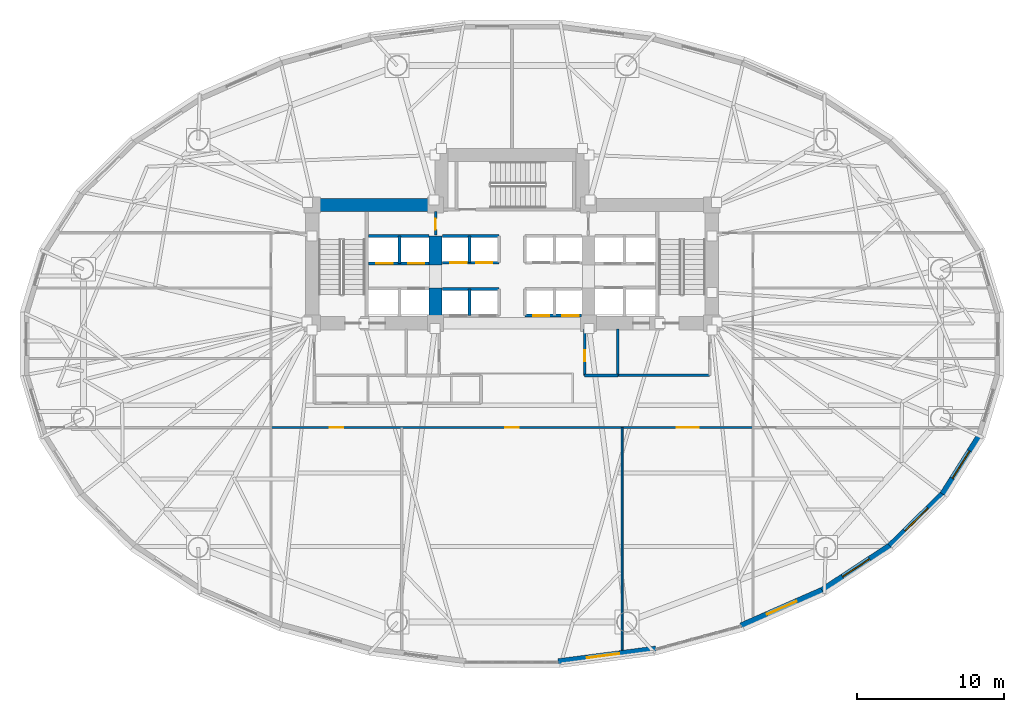
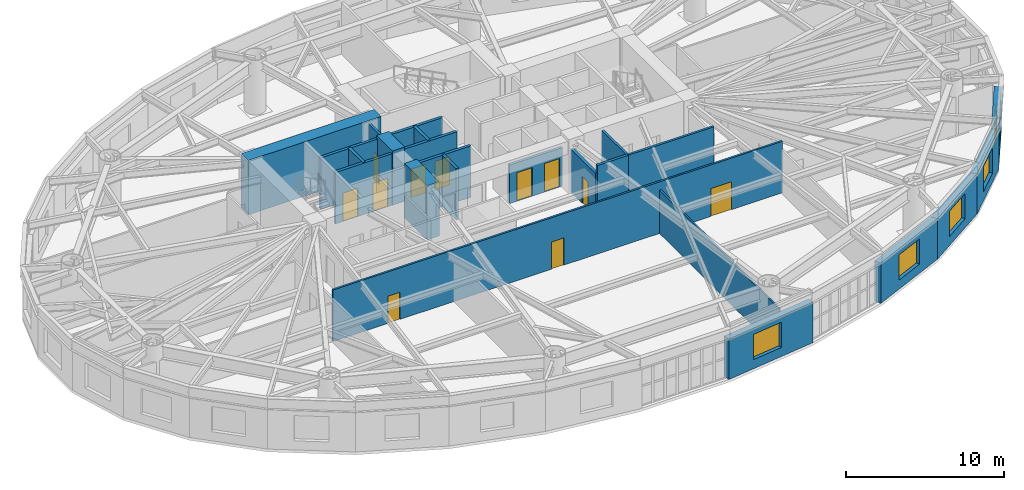
# One storey, part 10 of 18: 24 walls, 11 doors, 5 windows, 16 openings.
"""IFC4 building model written with IfcOpenShell, lengths in metres."""

import ifcopenshell
import ifcopenshell.guid

model = None  # the IFC model being written
_history = None  # IfcOwnerHistory: only IFC2X3 demands one
_inside = {}  # id of a spatial element -> (the spatial element, [elements in it])
_under = {}  # id of a project, library or spatial element -> (it, [spatial elements below it])
_declared = {}  # id of a project -> (the project, [libraries it declares])
_typed = {}  # id of a type object -> (the type object, [elements of that type])
_made_of = {}  # id of a material, layer set ... -> (it, [elements and type objects made of it])


def new_model(schema):
    """Start an empty IFC model of exactly this schema.

    Asked for "IFC4X3", IfcOpenShell would pick the latest addendum, in which some entities
    have other attributes; the version numbers below select the first issue.
    IFC2X3 requires an IfcOwnerHistory on every rooted entity: one is made here for all.
    """
    global model, _history
    if schema == "IFC4X3":
        model = ifcopenshell.file(schema_version=(4, 3, 0, 0))
    else:
        model = ifcopenshell.file(schema=schema)
    _inside.clear()
    _under.clear()
    _declared.clear()
    _typed.clear()
    _made_of.clear()
    _history = None
    if model.schema == "IFC2X3":
        org = make("IfcOrganization", Name="unknown")
        user = make(
            "IfcPersonAndOrganization",
            ThePerson=make("IfcPerson", FamilyName="unknown"),
            TheOrganization=org,
        )
        app = make(
            "IfcApplication",
            ApplicationDeveloper=org,
            Version="unknown",
            ApplicationFullName="unknown",
            ApplicationIdentifier="unknown",
        )
        _history = make(
            "IfcOwnerHistory",
            OwningUser=user,
            OwningApplication=app,
            ChangeAction="ADDED",
            CreationDate=0,
        )
    return model


def make(cls, **values):
    """One entity of the class cls with the attributes given. An attribute that is None is left unset."""
    return model.create_entity(
        cls, **{name: value for name, value in values.items() if value is not None}
    )


def rooted(cls, **values):
    """An entity with a GlobalId (a new one), such as an element, a storey or a relation."""
    return make(cls, GlobalId=ifcopenshell.guid.new(), OwnerHistory=_history, **values)


def si_unit(unit_type, name, prefix=None):
    """IfcSIUnit, for example si_unit("LENGTHUNIT", "METRE", prefix="MILLI")."""
    return make("IfcSIUnit", UnitType=unit_type, Prefix=prefix, Name=name)


def assignment(units):
    """IfcUnitAssignment: the units of a project."""
    return None if units is None else make("IfcUnitAssignment", Units=units)


def point(xyz):
    """IfcCartesianPoint."""
    return None if xyz is None else make("IfcCartesianPoint", Coordinates=xyz)


def direction(xyz):
    """IfcDirection."""
    return None if xyz is None else make("IfcDirection", DirectionRatios=xyz)


def frame(location, z_axis=None, x_axis=None):
    """IfcAxis2Placement3D, a coordinate frame: its origin and axes. An axis left out is left unset."""
    return make(
        "IfcAxis2Placement3D",
        Location=point(location),
        Axis=direction(z_axis),
        RefDirection=direction(x_axis),
    )


def frame_2d(location, x_axis=None):
    """IfcAxis2Placement2D, a coordinate frame in the plane: its origin and x axis."""
    return make(
        "IfcAxis2Placement2D", Location=point(location), RefDirection=direction(x_axis)
    )


def origin():
    """The frame at (0, 0, 0) with its axes left unset."""
    return frame((0.0, 0.0, 0.0))


def place(relative_to, where):
    """IfcLocalPlacement: puts the frame where relative to a parent placement (None: the world)."""
    return make(
        "IfcLocalPlacement", PlacementRelTo=relative_to, RelativePlacement=where
    )


def context(
    kind, dimensions, precision=None, world=None, true_north=None, identifier=None
):
    """IfcGeometricRepresentationContext, for example the 3D "Model" context."""
    return make(
        "IfcGeometricRepresentationContext",
        ContextIdentifier=identifier,
        ContextType=kind,
        CoordinateSpaceDimension=dimensions,
        Precision=precision,
        WorldCoordinateSystem=world,
        TrueNorth=true_north,
    )


def subcontext(parent, identifier, kind, view, scale=None):
    """IfcGeometricRepresentationSubContext, for example "Body" below "Model"."""
    return make(
        "IfcGeometricRepresentationSubContext",
        ContextIdentifier=identifier,
        ContextType=kind,
        ParentContext=parent,
        TargetScale=scale,
        TargetView=view,
    )


def project(units=None, contexts=None):
    """IfcProject with its units and contexts."""
    return rooted(
        "IfcProject",
        Name="project",
        RepresentationContexts=contexts,
        UnitsInContext=assignment(units),
    )


def spatial(cls, under=None, at=None, **own):
    """A site, building, storey or space (cls), placed at a placement, below another one or the project."""
    s = rooted(cls, ObjectPlacement=at, **own)
    if under is not None:
        _under.setdefault(under.id(), (under, []))[1].append(s)
    return s


def profile(cls, at=None, kind="AREA", **sizes):
    """A parametric profile (cls). Its sizes go by their IFC names, for example OverallWidth=200.0."""
    return make(cls, ProfileType=kind, Position=at, **sizes)


def rectangle(**sizes):
    """IfcRectangleProfileDef."""
    return profile("IfcRectangleProfileDef", **sizes)


def extrude(swept, where, along, depth):
    """IfcExtrudedAreaSolid: the profile swept, set in the frame where, extruded along a direction by depth."""
    return make(
        "IfcExtrudedAreaSolid",
        SweptArea=swept,
        Position=where,
        ExtrudedDirection=direction(along),
        Depth=depth,
    )


def shape(context_of_items, identifier, shape_type, items):
    """IfcShapeRepresentation: the items that make up one representation, for example the "Body"."""
    return make(
        "IfcShapeRepresentation",
        ContextOfItems=context_of_items,
        RepresentationIdentifier=identifier,
        RepresentationType=shape_type,
        Items=items,
    )


def material(Name=None, Category=None):
    """IfcMaterial."""
    return make("IfcMaterial", Name=Name, Category=Category)


def layer(
    of_material, thickness, ventilated=None, Name=None, Category=None, Priority=None
):
    """IfcMaterialLayer: one layer of a wall or slab, of a material (None: an air gap)."""
    return make(
        "IfcMaterialLayer",
        Material=of_material,
        LayerThickness=thickness,
        IsVentilated=ventilated,
        Name=Name,
        Category=Category,
        Priority=Priority,
    )


def layer_set(layers, Name=None):
    """IfcMaterialLayerSet."""
    return make("IfcMaterialLayerSet", MaterialLayers=layers, LayerSetName=Name)


def made_of(thing, what):
    """Note that an element or type object is made of a material, layer set ...; save() writes the relation."""
    if what is not None:
        _made_of.setdefault(what.id(), (what, []))[1].append(thing)
    return thing


def type_object(cls, material=None, **own):
    """A type object (cls), such as IfcWallType, which elements share."""
    return made_of(rooted(cls, **own), material)


def element(
    cls,
    number,
    at=None,
    inside=None,
    cuts=None,
    type_object=None,
    material=None,
    context=None,
    identifier="Body",
    shape_type=None,
    held_by="IfcProductDefinitionShape",
    body=None,
    shapes=None,
    **own,
):
    """One element of the class cls, such as IfcWall. Its Tag is "e" and its number.

    at: its placement. inside: the storey or other place that contains it. cuts: it is an
    opening in that element (IfcRelVoidsElement). A single representation is given by context,
    identifier, shape_type and body (its items); several are given by shapes. held_by: the class
    of the entity that holds the representations. save() writes the other relations.
    """
    e = rooted(cls, Tag="e%d" % number, ObjectPlacement=at, **own)
    if body is not None:
        shapes = [shape(context, identifier, shape_type, body)]
    if shapes is not None:
        e.Representation = make(held_by, Representations=shapes)
    if inside is not None:
        _inside.setdefault(inside.id(), (inside, []))[1].append(e)
    if cuts is not None:
        rooted(
            "IfcRelVoidsElement", RelatingBuildingElement=cuts, RelatedOpeningElement=e
        )
    if type_object is not None:
        _typed.setdefault(type_object.id(), (type_object, []))[1].append(e)
    return made_of(e, material)


def fill(opening, filler):
    """IfcRelFillsElement: the door or window that sits in an opening."""
    return rooted(
        "IfcRelFillsElement",
        RelatingOpeningElement=opening,
        RelatedBuildingElement=filler,
    )


def aggregate(whole, parts):
    """IfcRelAggregates: a whole, such as a stair, and the parts it consists of."""
    return rooted("IfcRelAggregates", RelatingObject=whole, RelatedObjects=parts)


def save(model, path):
    """Write the relations noted so far, then the file.

    IfcRelAggregates (storeys below a building ...), IfcRelContainedInSpatialStructure (elements
    in a storey), IfcRelDefinesByType, IfcRelAssociatesMaterial and IfcRelDeclares: one each for
    every whole, place, type object, material and project.
    """
    for whole, parts in _under.values():
        aggregate(whole, parts)
    for where, things in _inside.values():
        rooted(
            "IfcRelContainedInSpatialStructure",
            RelatedElements=things,
            RelatingStructure=where,
        )
    for kind, things in _typed.values():
        rooted("IfcRelDefinesByType", RelatedObjects=things, RelatingType=kind)
    for what, things in _made_of.values():
        rooted("IfcRelAssociatesMaterial", RelatedObjects=things, RelatingMaterial=what)
    for by, libraries in _declared.values():
        rooted("IfcRelDeclares", RelatingContext=by, RelatedDefinitions=libraries)
    model.write(path)


model = new_model("IFC4")

# Units and contexts
model_context = context("Model", 3, precision=1e-05, world=origin(), true_north=direction((0.0, 1.0)))
body_context = subcontext(model_context, "Body", "Model", "MODEL_VIEW")
ifc_project = project(units=[si_unit("LENGTHUNIT", "METRE"), si_unit("AREAUNIT", "SQUARE_METRE"), si_unit("VOLUMEUNIT", "CUBIC_METRE"), si_unit("PLANEANGLEUNIT", "RADIAN"), si_unit("MASSUNIT", "GRAM", prefix="KILO")], contexts=[model_context])

# Site, building, storey
site_placement = place(None, origin())
site = spatial("IfcSite", under=ifc_project, at=site_placement, CompositionType="ELEMENT")
building_placement = place(site_placement, origin())
building = spatial("IfcBuilding", under=site, at=building_placement, Name="Keldmark Tower", CompositionType="ELEMENT")
storey_placement = place(building_placement, frame((0.0, 0.0, 6.0)))
storey = spatial("IfcBuildingStorey", under=building, at=storey_placement, Name="L01", CompositionType="ELEMENT", Elevation=6.0)

# Wall, openings, doors
ifc_material_1 = material(Name="Acoustic Double-Layer Gypsum Corridor Partition", Category="gypsum")
ifc_layer_1 = layer(ifc_material_1, 0.139892578125)
ifc_layer_set_1 = layer_set([ifc_layer_1], Name="Acoustic Double-Layer Gypsum Corridor Partition")
wall_type_1 = type_object("IfcWallType", Name="Acoustic Corridor Partition 140 mm", PredefinedType="PARTITIONING", material=ifc_layer_set_1)
wall_1_placement = place(storey_placement, frame((-16.39990234375, -5.699951171875, 0.0), z_axis=(0.0, 0.0, 1.0), x_axis=(1.0, 0.0, 0.0)))
wall_1 = element("IfcWall", 1, at=wall_1_placement, inside=storey, type_object=wall_type_1, Name="L01 Acoustic Corridor Partition 140 mm COR-S", PredefinedType="PARTITIONING", context=body_context, shape_type="SweptSolid", body=[
    extrude(rectangle(XDim=32.7998046875, YDim=0.139892578125, at=frame_2d((16.39990234375, 0.0))), origin(), (0.0, 0.0, 1.0), 3.97998046875),
])
opening_1_placement = place(wall_1_placement, frame((4.0, 0.0, 0.0)))
opening_1 = element("IfcOpeningElement", 2, at=opening_1_placement, cuts=wall_1, Name="Opening D-IN090", PredefinedType="OPENING", context=body_context, shape_type="SweptSolid", body=[
    extrude(rectangle(XDim=0.89990234375, YDim=2.10009765625, at=frame_2d((0.449951171875, 1.050048828125))), frame((0.0, 0.079833984375, 0.0), z_axis=(0.0, -1.0, 0.0), x_axis=(1.0, 0.0, 0.0)), (0.0, 0.0, 1.0), 0.159912109375),
])
opening_2_placement = place(wall_1_placement, frame((15.949951171875, 0.0, 0.0)))
opening_2 = element("IfcOpeningElement", 3, at=opening_2_placement, cuts=wall_1, Name="Opening D-IN090", PredefinedType="OPENING", context=body_context, shape_type="SweptSolid", body=[
    extrude(rectangle(XDim=0.89990234375, YDim=2.10009765625, at=frame_2d((0.449951171875, 1.050048828125))), frame((0.0, 0.079833984375, 0.0), z_axis=(0.0, -1.0, 0.0), x_axis=(1.0, 0.0, 0.0)), (0.0, 0.0, 1.0), 0.159912109375),
])
opening_3_placement = place(wall_1_placement, frame((27.60009765625, 0.0, 0.0)))
opening_3 = element("IfcOpeningElement", 4, at=opening_3_placement, cuts=wall_1, Name="Opening D-CF150", PredefinedType="OPENING", context=body_context, shape_type="SweptSolid", body=[
    extrude(rectangle(XDim=1.5, YDim=2.14990234375, at=frame_2d((0.75, 1.074951171875))), frame((0.0, 0.079833984375, 0.0), z_axis=(0.0, -1.0, 0.0), x_axis=(1.0, 0.0, 0.0)), (0.0, 0.0, 1.0), 0.159912109375),
])
ifc_material_2 = material(Name="Acoustic Timber and Tempered Glass Double Door", Category="wood")
door_type_1 = type_object("IfcDoorType", Name="Conference Double Door 1500x2150", OperationType="DOUBLE_DOOR_SINGLE_SWING", PredefinedType="DOOR", material=ifc_material_2)
door_1_placement = place(opening_3_placement, origin())
door_1 = element("IfcDoor", 5, at=door_1_placement, inside=storey, type_object=door_type_1, Name="L01 Conference Double Door 1500x2150 D-SR-3-L01", OperationType="DOUBLE_DOOR_SINGLE_SWING", OverallHeight=2.14990234375, OverallWidth=1.5, PredefinedType="DOOR", context=body_context, shape_type="SweptSolid", body=[
    extrude(rectangle(XDim=1.5, YDim=2.14990234375, at=frame_2d((0.75, 1.074951171875))), frame((0.0, 0.02490234375, 0.0), z_axis=(0.0, -1.0, 0.0), x_axis=(1.0, 0.0, 0.0)), (0.0, 0.0, 1.0), 0.050048828125),
])
fill(opening_3, door_1)
ifc_material_3 = material(Name="Stained American White Oak Veneer", Category="wood")
door_type_2 = type_object("IfcDoorType", Name="Interior Door 900x2100", OperationType="NOTDEFINED", PredefinedType="DOOR", material=ifc_material_3)
door_2_placement = place(opening_1_placement, origin())
door_2 = element("IfcDoor", 6, at=door_2_placement, inside=storey, type_object=door_type_2, Name="L01 Interior Door 900x2100 D-SR-1-L01", OperationType="SINGLE_SWING_LEFT", OverallHeight=2.10009765625, OverallWidth=0.89990234375, PredefinedType="DOOR", context=body_context, shape_type="SweptSolid", body=[
    extrude(rectangle(XDim=0.89990234375, YDim=2.10009765625, at=frame_2d((0.449951171875, 1.050048828125))), frame((0.0, 0.02490234375, 0.0), z_axis=(0.0, -1.0, 0.0), x_axis=(1.0, 0.0, 0.0)), (0.0, 0.0, 1.0), 0.050048828125),
])
fill(opening_1, door_2)
door_3_placement = place(opening_2_placement, origin())
door_3 = element("IfcDoor", 7, at=door_3_placement, inside=storey, type_object=door_type_2, Name="L01 Interior Door 900x2100 D-SR-2-L01", OperationType="SINGLE_SWING_RIGHT", OverallHeight=2.10009765625, OverallWidth=0.89990234375, PredefinedType="DOOR", context=body_context, shape_type="SweptSolid", body=[
    extrude(rectangle(XDim=0.89990234375, YDim=2.10009765625, at=frame_2d((0.449951171875, 1.050048828125))), frame((0.0, 0.02490234375, 0.0), z_axis=(0.0, -1.0, 0.0), x_axis=(1.0, 0.0, 0.0)), (0.0, 0.0, 1.0), 0.050048828125),
])
fill(opening_2, door_3)

# Walls
ifc_material_4 = material(Name="Acoustic Gypsum Board Interior Partition", Category="gypsum")
ifc_layer_2 = layer(ifc_material_4, 0.1298828125)
ifc_layer_set_2 = layer_set([ifc_layer_2], Name="Acoustic Gypsum Board Interior Partition")
wall_type_2 = type_object("IfcWallType", Name="Interior Partition 130 mm", PredefinedType="PARTITIONING", material=ifc_layer_set_2)
wall_2_placement = place(storey_placement, frame((7.5, -20.85107421875, 0.0), z_axis=(0.0, 0.0, 1.0), x_axis=(0.0, 1.0, 0.0)))
element("IfcWall", 8, at=wall_2_placement, inside=storey, type_object=wall_type_2, Name="L01 Interior Partition 130 mm S-DIV-2", PredefinedType="PARTITIONING", context=body_context, shape_type="SweptSolid", body=[
    extrude(rectangle(XDim=15.151123046875, YDim=0.1298828125, at=frame_2d((7.57568359375, 0.0))), origin(), (0.0, 0.0, 1.0), 3.347900390625),
])
ifc_material_5 = material(Name="Concrete C70/85", Category="concrete")
ifc_layer_3 = layer(ifc_material_5, 0.89990234375)
ifc_layer_set_3 = layer_set([ifc_layer_3], Name="Concrete C70/85")
wall_type_3 = type_object("IfcWallType", Name="Lower Core Shear Wall 900 mm", PredefinedType="SHEAR", material=ifc_layer_set_3)
wall_3_placement = place(storey_placement, frame((-14.050048828125, 9.449951171875, 0.0), z_axis=(0.0, 0.0, 1.0), x_axis=(1.0, 0.0, 0.0)))
element("IfcWall", 9, at=wall_3_placement, inside=storey, type_object=wall_type_3, Name="L01 West Core North Shear Wall", PredefinedType="SHEAR", context=body_context, shape_type="SweptSolid", body=[
    extrude(rectangle(XDim=9.699951171875, YDim=0.89990234375, at=frame_2d((4.85009765625, 0.0))), origin(), (0.0, 0.0, 1.0), 4.199951171875),
])
wall_4_placement = place(storey_placement, frame((-5.199951171875, 0.949951171875, 0.0), z_axis=(0.0, 0.0, 1.0), x_axis=(0.0, 1.0, 0.0)))
element("IfcWall", 10, at=wall_4_placement, inside=storey, type_object=wall_type_3, Name="L01 West Core Inner Shear Pier South", PredefinedType="SHEAR", context=body_context, shape_type="SweptSolid", body=[
    extrude(rectangle(XDim=2.85009765625, YDim=0.89990234375, at=frame_2d((1.425048828125, 0.0))), origin(), (0.0, 0.0, 1.0), 4.199951171875),
])
wall_5_placement = place(storey_placement, frame((-5.199951171875, 5.35009765625, 0.0), z_axis=(0.0, 0.0, 1.0), x_axis=(0.0, 1.0, 0.0)))
element("IfcWall", 11, at=wall_5_placement, inside=storey, type_object=wall_type_3, Name="L01 West Core Inner Shear Pier North", PredefinedType="SHEAR", context=body_context, shape_type="SweptSolid", body=[
    extrude(rectangle(XDim=2.0, YDim=0.89990234375, at=frame_2d((1.0, 0.0))), origin(), (0.0, 0.0, 1.0), 4.199951171875),
])

# Wall, opening, window
ifc_material_6 = material(Name="Ironspot Manganese Brick and Kasota Buff Limestone Cavity Assembly", Category="masonry")
ifc_layer_4 = layer(ifc_material_6, 0.47998046875)
ifc_layer_set_4 = layer_set([ifc_layer_4], Name="Ironspot Manganese Brick and Kasota Buff Limestone Cavity Assembly")
wall_type_4 = type_object("IfcWallType", Name="Podium Brick and Limestone Cavity Wall 480 mm", PredefinedType="STANDARD", material=ifc_layer_set_4)
wall_6_placement = place(storey_placement, frame((9.802490234375, -20.800537109375, 0.0), z_axis=(0.0, 0.0, 1.0), x_axis=(-0.991575864932, -0.12952723298, 0.0)))
wall_6 = element("IfcWall", 12, at=wall_6_placement, inside=storey, type_object=wall_type_4, Name="L01 Exterior Brick and Spandrel Wall 25", PredefinedType="STANDARD", context=body_context, shape_type="SweptSolid", body=[
    extrude(rectangle(XDim=6.7158203125, YDim=0.47998046875, at=frame_2d((3.35791015625, 0.0))), origin(), (0.0, 0.0, 1.0), 3.10888671875),
])
opening_4_placement = place(wall_6_placement, frame((2.530517578125, 0.0, 0.699951171875)))
opening_4 = element("IfcOpeningElement", 13, at=opening_4_placement, cuts=wall_6, Name="Opening W-01", PredefinedType="OPENING", context=body_context, shape_type="SweptSolid", body=[
    extrude(rectangle(XDim=2.199951171875, YDim=1.949951171875, at=frame_2d((1.10009765625, 0.97509765625))), frame((0.0, 0.25, 0.0), z_axis=(0.0, -1.0, 0.0), x_axis=(1.0, 0.0, 0.0)), (0.0, 0.0, 1.0), 0.5),
])
ifc_material_7 = material(Name="Thermally Broken Anodized Aluminum and Triple Low-E Argon Glazing", Category="aluminium")
window_type = type_object("IfcWindowType", Name="Podium Arched-Head Punched Window 2200x1950", PartitioningType="SINGLE_PANEL", PredefinedType="WINDOW", material=ifc_material_7)
window_1_placement = place(opening_4_placement, origin())
window_1 = element("IfcWindow", 14, at=window_1_placement, inside=storey, type_object=window_type, Name="L01 Deep-Set Window 25", OverallHeight=1.949951171875, OverallWidth=2.199951171875, PartitioningType="SINGLE_PANEL", PredefinedType="WINDOW", context=body_context, shape_type="SweptSolid", body=[
    extrude(rectangle(XDim=2.199951171875, YDim=1.949951171875, at=frame_2d((1.10009765625, 0.97509765625))), frame((0.0, -0.010009765625, 0.0), z_axis=(0.0, -1.0, 0.0), x_axis=(1.0, 0.0, 0.0)), (0.0, 0.0, 1.0), 0.06005859375),
])
fill(opening_4, window_1)

wall_7_placement = place(storey_placement, frame((21.15576171875, -16.786376953125, 0.0), z_axis=(0.0, 0.0, 1.0), x_axis=(-0.915720949248, -0.401814811957, 0.0)))
wall_7 = element("IfcWall", 15, at=wall_7_placement, inside=storey, type_object=wall_type_4, Name="L01 Exterior Brick and Spandrel Wall 27", PredefinedType="STANDARD", context=body_context, shape_type="SweptSolid", body=[
    extrude(rectangle(XDim=6.068115234375, YDim=0.47998046875, at=frame_2d((3.0341796875, 0.0))), origin(), (0.0, 0.0, 1.0), 3.10888671875),
])
opening_5_placement = place(wall_7_placement, frame((1.93408203125, 0.0, 0.699951171875)))
opening_5 = element("IfcOpeningElement", 16, at=opening_5_placement, cuts=wall_7, Name="Opening W-01", PredefinedType="OPENING", context=body_context, shape_type="SweptSolid", body=[
    extrude(rectangle(XDim=2.199951171875, YDim=1.949951171875, at=frame_2d((1.10009765625, 0.97509765625))), frame((0.0, 0.25, 0.0), z_axis=(0.0, -1.0, 0.0), x_axis=(1.0, 0.0, 0.0)), (0.0, 0.0, 1.0), 0.5),
])
window_2_placement = place(opening_5_placement, origin())
window_2 = element("IfcWindow", 17, at=window_2_placement, inside=storey, type_object=window_type, Name="L01 Deep-Set Window 27", OverallHeight=1.949951171875, OverallWidth=2.199951171875, PartitioningType="SINGLE_PANEL", PredefinedType="WINDOW", context=body_context, shape_type="SweptSolid", body=[
    extrude(rectangle(XDim=2.199951171875, YDim=1.949951171875, at=frame_2d((1.10009765625, 0.97509765625))), frame((0.0, -0.010009765625, 0.0), z_axis=(0.0, -1.0, 0.0), x_axis=(1.0, 0.0, 0.0)), (0.0, 0.0, 1.0), 0.06005859375),
])
fill(opening_5, window_2)

wall_8_placement = place(storey_placement, frame((25.76416015625, -13.756103515625, 0.0), z_axis=(0.0, 0.0, 1.0), x_axis=(-0.835863918172, -0.548936708827, 0.0)))
wall_8 = element("IfcWall", 18, at=wall_8_placement, inside=storey, type_object=wall_type_4, Name="L01 Exterior Brick and Spandrel Wall 28", PredefinedType="STANDARD", context=body_context, shape_type="SweptSolid", body=[
    extrude(rectangle(XDim=5.555419921875, YDim=0.47998046875, at=frame_2d((2.77783203125, 0.0))), origin(), (0.0, 0.0, 1.0), 3.10888671875),
])
opening_6_placement = place(wall_8_placement, frame((1.677734375, 0.0, 0.699951171875)))
opening_6 = element("IfcOpeningElement", 19, at=opening_6_placement, cuts=wall_8, Name="Opening W-01", PredefinedType="OPENING", context=body_context, shape_type="SweptSolid", body=[
    extrude(rectangle(XDim=2.199951171875, YDim=1.949951171875, at=frame_2d((1.10009765625, 0.97509765625))), frame((0.0, 0.25, 0.0), z_axis=(0.0, -1.0, 0.0), x_axis=(1.0, 0.0, 0.0)), (0.0, 0.0, 1.0), 0.5),
])
window_3_placement = place(opening_6_placement, origin())
window_3 = element("IfcWindow", 20, at=window_3_placement, inside=storey, type_object=window_type, Name="L01 Deep-Set Window 28", OverallHeight=1.949951171875, OverallWidth=2.199951171875, PartitioningType="SINGLE_PANEL", PredefinedType="WINDOW", context=body_context, shape_type="SweptSolid", body=[
    extrude(rectangle(XDim=2.199951171875, YDim=1.949951171875, at=frame_2d((1.10009765625, 0.97509765625))), frame((0.0, -0.010009765625, 0.0), z_axis=(0.0, -1.0, 0.0), x_axis=(1.0, 0.0, 0.0)), (0.0, 0.0, 1.0), 0.06005859375),
])
fill(opening_6, window_3)

wall_9_placement = place(storey_placement, frame((29.376220703125, -10.199462890625, 0.0), z_axis=(0.0, 0.0, 1.0), x_axis=(-0.713189080178, -0.700971708355, 0.0)))
wall_9 = element("IfcWall", 21, at=wall_9_placement, inside=storey, type_object=wall_type_4, Name="L01 Exterior Brick and Spandrel Wall 29", PredefinedType="STANDARD", context=body_context, shape_type="SweptSolid", body=[
    extrude(rectangle(XDim=5.11572265625, YDim=0.47998046875, at=frame_2d((2.557861328125, 0.0))), origin(), (0.0, 0.0, 1.0), 3.10888671875),
])
opening_7_placement = place(wall_9_placement, frame((1.4580078125, 0.0, 0.699951171875)))
opening_7 = element("IfcOpeningElement", 22, at=opening_7_placement, cuts=wall_9, Name="Opening W-01", PredefinedType="OPENING", context=body_context, shape_type="SweptSolid", body=[
    extrude(rectangle(XDim=2.199951171875, YDim=1.949951171875, at=frame_2d((1.10009765625, 0.97509765625))), frame((0.0, 0.25, 0.0), z_axis=(0.0, -1.0, 0.0), x_axis=(1.0, 0.0, 0.0)), (0.0, 0.0, 1.0), 0.5),
])
window_4_placement = place(opening_7_placement, origin())
window_4 = element("IfcWindow", 23, at=window_4_placement, inside=storey, type_object=window_type, Name="L01 Deep-Set Window 29", OverallHeight=1.949951171875, OverallWidth=2.199951171875, PartitioningType="SINGLE_PANEL", PredefinedType="WINDOW", context=body_context, shape_type="SweptSolid", body=[
    extrude(rectangle(XDim=2.199951171875, YDim=1.949951171875, at=frame_2d((1.10009765625, 0.97509765625))), frame((0.0, -0.010009765625, 0.0), z_axis=(0.0, -1.0, 0.0), x_axis=(1.0, 0.0, 0.0)), (0.0, 0.0, 1.0), 0.06005859375),
])
fill(opening_7, window_4)

wall_10_placement = place(storey_placement, frame((31.8544921875, -6.25830078125, 0.0), z_axis=(0.0, 0.0, 1.0), x_axis=(-0.53349762721, -0.845801561693, 0.0)))
wall_10 = element("IfcWall", 24, at=wall_10_placement, inside=storey, type_object=wall_type_4, Name="L01 Exterior Brick and Spandrel Wall 30", PredefinedType="STANDARD", context=body_context, shape_type="SweptSolid", body=[
    extrude(rectangle(XDim=4.710693359375, YDim=0.47998046875, at=frame_2d((2.35546875, 0.0))), origin(), (0.0, 0.0, 1.0), 3.10888671875),
])
opening_8_placement = place(wall_10_placement, frame((1.25537109375, 0.0, 0.699951171875)))
opening_8 = element("IfcOpeningElement", 25, at=opening_8_placement, cuts=wall_10, Name="Opening W-01", PredefinedType="OPENING", context=body_context, shape_type="SweptSolid", body=[
    extrude(rectangle(XDim=2.199951171875, YDim=1.949951171875, at=frame_2d((1.10009765625, 0.97509765625))), frame((0.0, 0.25, 0.0), z_axis=(0.0, -1.0, 0.0), x_axis=(1.0, 0.0, 0.0)), (0.0, 0.0, 1.0), 0.5),
])
window_5_placement = place(opening_8_placement, origin())
window_5 = element("IfcWindow", 26, at=window_5_placement, inside=storey, type_object=window_type, Name="L01 Deep-Set Window 30", OverallHeight=1.949951171875, OverallWidth=2.199951171875, PartitioningType="SINGLE_PANEL", PredefinedType="WINDOW", context=body_context, shape_type="SweptSolid", body=[
    extrude(rectangle(XDim=2.199951171875, YDim=1.949951171875, at=frame_2d((1.10009765625, 0.97509765625))), frame((0.0, -0.010009765625, 0.0), z_axis=(0.0, -1.0, 0.0), x_axis=(1.0, 0.0, 0.0)), (0.0, 0.0, 1.0), 0.06005859375),
])
fill(opening_8, window_5)

# Walls
ifc_material_8 = material(Name="Type X Fire-Rated Gypsum Partition Assembly", Category="gypsum")
ifc_layer_5 = layer(ifc_material_8, 0.1650390625)
ifc_layer_set_5 = layer_set([ifc_layer_5], Name="Type X Fire-Rated Gypsum Partition Assembly")
wall_type_5 = type_object("IfcWallType", Name="Rated Partition 165 mm", PredefinedType="PARTITIONING", material=ifc_layer_set_5)
wall_11_placement = place(storey_placement, frame((7.199951171875, -2.14990234375, 0.0), z_axis=(0.0, 0.0, 1.0), x_axis=(1.0, 0.0, 0.0)))
element("IfcWall", 27, at=wall_11_placement, inside=storey, type_object=wall_type_5, Name="L01 Rated Partition 165 mm FSAE-E-S", PredefinedType="PARTITIONING", context=body_context, shape_type="SweptSolid", body=[
    extrude(rectangle(XDim=6.25, YDim=0.1650390625, at=frame_2d((3.125, 0.0))), origin(), (0.0, 0.0, 1.0), 3.97998046875),
])
wall_12_placement = place(storey_placement, frame((7.199951171875, -2.14990234375, 0.0), z_axis=(0.0, 0.0, 1.0), x_axis=(0.0, 1.0, 0.0)))
element("IfcWall", 28, at=wall_12_placement, inside=storey, type_object=wall_type_5, Name="L01 Rated Partition 165 mm FSAE-E-W", PredefinedType="PARTITIONING", context=body_context, shape_type="SweptSolid", body=[
    extrude(rectangle(XDim=3.14990234375, YDim=0.1650390625, at=frame_2d((1.574951171875, 0.0))), origin(), (0.0, 0.0, 1.0), 3.97998046875),
])

# Wall, opening, door
wall_13_placement = place(storey_placement, frame((-5.199951171875, 7.419921875, 0.0), z_axis=(0.0, 0.0, 1.0), x_axis=(0.0, 1.0, 0.0)))
wall_13 = element("IfcWall", 29, at=wall_13_placement, inside=storey, type_object=wall_type_5, Name="L01 Rated Partition 165 mm CS-NW-E", PredefinedType="PARTITIONING", context=body_context, shape_type="SweptSolid", body=[
    extrude(rectangle(XDim=1.580078125, YDim=0.1650390625, at=frame_2d((0.7900390625, 0.0))), origin(), (0.0, 0.0, 1.0), 3.97998046875),
])
opening_9_placement = place(wall_13_placement, frame((0.35009765625, 0.0, 0.0)))
opening_9 = element("IfcOpeningElement", 30, at=opening_9_placement, cuts=wall_13, Name="Opening D-RS075", PredefinedType="OPENING", context=body_context, shape_type="SweptSolid", body=[
    extrude(rectangle(XDim=0.75, YDim=2.10009765625, at=frame_2d((0.375, 1.050048828125))), frame((0.0, 0.092529296875, 0.0), z_axis=(0.0, -1.0, 0.0), x_axis=(1.0, 0.0, 0.0)), (0.0, 0.0, 1.0), 0.18505859375),
])
ifc_material_9 = material(Name="Galvanized Fire-Rated Access Leaf", Category="metal")
door_type_3 = type_object("IfcDoorType", Name="Riser Access Door 750x2100", OperationType="NOTDEFINED", PredefinedType="DOOR", material=ifc_material_9)
door_4_placement = place(opening_9_placement, origin())
door_4 = element("IfcDoor", 31, at=door_4_placement, inside=storey, type_object=door_type_3, Name="L01 Riser Access Door 750x2100 D-CSNW1-L01", OperationType="SINGLE_SWING_LEFT", OverallHeight=2.10009765625, OverallWidth=0.75, PredefinedType="DOOR", context=body_context, shape_type="SweptSolid", body=[
    extrude(rectangle(XDim=0.75, YDim=2.10009765625, at=frame_2d((0.375, 1.050048828125))), frame((0.0, 0.02490234375, 0.0), z_axis=(0.0, -1.0, 0.0), x_axis=(1.0, 0.0, 0.0)), (0.0, 0.0, 1.0), 0.050048828125),
])
fill(opening_9, door_4)

# Wall
ifc_material_10 = material(Name="Fire-Resistant Type X Gypsum Shaftliner Coreboard", Category="gypsum")
ifc_layer_6 = layer(ifc_material_10, 0.199951171875)
ifc_layer_set_6 = layer_set([ifc_layer_6], Name="Fire-Resistant Type X Gypsum Shaftliner Coreboard")
wall_type_6 = type_object("IfcWallType", Name="Shaft Wall 200 mm", PredefinedType="SOLIDWALL", material=ifc_layer_set_6)
wall_14_placement = place(storey_placement, frame((4.949951171875, -2.14990234375, 0.0), z_axis=(0.0, 0.0, 1.0), x_axis=(1.0, 0.0, 0.0)))
element("IfcWall", 32, at=wall_14_placement, inside=storey, type_object=wall_type_6, Name="L01 Shaft Wall 200 mm RIS-SE-S", PredefinedType="SOLIDWALL", context=body_context, shape_type="SweptSolid", body=[
    extrude(rectangle(XDim=2.25, YDim=0.199951171875, at=frame_2d((1.125, 0.0))), origin(), (0.0, 0.0, 1.0), 3.97998046875),
])

# Wall, opening, door
wall_15_placement = place(storey_placement, frame((4.949951171875, -2.14990234375, 0.0), z_axis=(0.0, 0.0, 1.0), x_axis=(0.0, 1.0, 0.0)))
wall_15 = element("IfcWall", 33, at=wall_15_placement, inside=storey, type_object=wall_type_6, Name="L01 Shaft Wall 200 mm RIS-SE-W", PredefinedType="SOLIDWALL", context=body_context, shape_type="SweptSolid", body=[
    extrude(rectangle(XDim=3.14990234375, YDim=0.199951171875, at=frame_2d((1.574951171875, 0.0))), origin(), (0.0, 0.0, 1.0), 3.347900390625),
])
opening_10_placement = place(wall_15_placement, frame((0.949951171875, 0.0, 0.0)))
opening_10 = element("IfcOpeningElement", 34, at=opening_10_placement, cuts=wall_15, Name="Opening D-RS075", PredefinedType="OPENING", context=body_context, shape_type="SweptSolid", body=[
    extrude(rectangle(XDim=0.75, YDim=2.10009765625, at=frame_2d((0.375, 1.050048828125))), frame((0.0, 0.10986328125, 0.0), z_axis=(0.0, -1.0, 0.0), x_axis=(1.0, 0.0, 0.0)), (0.0, 0.0, 1.0), 0.219970703125),
])
door_5_placement = place(opening_10_placement, origin())
door_5 = element("IfcDoor", 35, at=door_5_placement, inside=storey, type_object=door_type_3, Name="L01 Riser Access Door 750x2100 D-RISSE-L01", OperationType="SINGLE_SWING_LEFT", OverallHeight=2.10009765625, OverallWidth=0.75, PredefinedType="DOOR", context=body_context, shape_type="SweptSolid", body=[
    extrude(rectangle(XDim=0.75, YDim=2.10009765625, at=frame_2d((0.375, 1.050048828125))), frame((0.0, 0.02490234375, 0.0), z_axis=(0.0, -1.0, 0.0), x_axis=(1.0, 0.0, 0.0)), (0.0, 0.0, 1.0), 0.050048828125),
])
fill(opening_10, door_5)

# Wall, openings, doors
wall_16_placement = place(storey_placement, frame((-9.780029296875, 5.469970703125, 0.0), z_axis=(0.0, 0.0, 1.0), x_axis=(1.0, 0.0, 0.0)))
wall_16 = element("IfcWall", 36, at=wall_16_placement, inside=storey, type_object=wall_type_6, Name="L01 Shaft Wall 200 mm HW-W-N", PredefinedType="SOLIDWALL", context=body_context, shape_type="SweptSolid", body=[
    extrude(rectangle(XDim=4.130126953125, YDim=0.199951171875, at=frame_2d((2.06494140625, 0.0))), origin(), (0.0, 0.0, 1.0), 3.97998046875),
])
opening_11_placement = place(wall_16_placement, frame((0.550048828125, 0.0, 0.0)))
opening_11 = element("IfcOpeningElement", 37, at=opening_11_placement, cuts=wall_16, Name="Opening LD-110", PredefinedType="OPENING", context=body_context, shape_type="SweptSolid", body=[
    extrude(rectangle(XDim=1.10009765625, YDim=2.199951171875, at=frame_2d((0.550048828125, 1.10009765625))), frame((0.0, 0.10986328125, 0.0), z_axis=(0.0, -1.0, 0.0), x_axis=(1.0, 0.0, 0.0)), (0.0, 0.0, 1.0), 0.219970703125),
])
opening_12_placement = place(wall_16_placement, frame((2.719970703125, 0.0, 0.0)))
opening_12 = element("IfcOpeningElement", 38, at=opening_12_placement, cuts=wall_16, Name="Opening LD-110", PredefinedType="OPENING", context=body_context, shape_type="SweptSolid", body=[
    extrude(rectangle(XDim=1.10009765625, YDim=2.199951171875, at=frame_2d((0.550048828125, 1.10009765625))), frame((0.0, 0.10986328125, 0.0), z_axis=(0.0, -1.0, 0.0), x_axis=(1.0, 0.0, 0.0)), (0.0, 0.0, 1.0), 0.219970703125),
])
ifc_material_11 = material(Name="Brushed Bronze Hoistway Sliding Leaf", Category="metal")
door_type_4 = type_object("IfcDoorType", Name="Lift Landing Sliding Door 1100x2200", OperationType="SLIDING_TO_LEFT", PredefinedType="DOOR", material=ifc_material_11)
door_6_placement = place(opening_11_placement, origin())
door_6 = element("IfcDoor", 39, at=door_6_placement, inside=storey, type_object=door_type_4, Name="L01 Lift Landing Sliding Door 1100x2200 LD-EL-H1-L01", OperationType="SLIDING_TO_LEFT", OverallHeight=2.199951171875, OverallWidth=1.10009765625, PredefinedType="DOOR", context=body_context, shape_type="SweptSolid", body=[
    extrude(rectangle(XDim=1.10009765625, YDim=2.199951171875, at=frame_2d((0.550048828125, 1.10009765625))), frame((0.0, 0.02490234375, 0.0), z_axis=(0.0, -1.0, 0.0), x_axis=(1.0, 0.0, 0.0)), (0.0, 0.0, 1.0), 0.050048828125),
])
fill(opening_11, door_6)
door_7_placement = place(opening_12_placement, origin())
door_7 = element("IfcDoor", 40, at=door_7_placement, inside=storey, type_object=door_type_4, Name="L01 Lift Landing Sliding Door 1100x2200 LD-EL-H2-L01", OperationType="SLIDING_TO_LEFT", OverallHeight=2.199951171875, OverallWidth=1.10009765625, PredefinedType="DOOR", context=body_context, shape_type="SweptSolid", body=[
    extrude(rectangle(XDim=1.10009765625, YDim=2.199951171875, at=frame_2d((0.550048828125, 1.10009765625))), frame((0.0, 0.02490234375, 0.0), z_axis=(0.0, -1.0, 0.0), x_axis=(1.0, 0.0, 0.0)), (0.0, 0.0, 1.0), 0.050048828125),
])
fill(opening_12, door_7)

# Walls
wall_17_placement = place(storey_placement, frame((-9.780029296875, 7.330078125, 0.0), z_axis=(0.0, 0.0, 1.0), x_axis=(1.0, 0.0, 0.0)))
element("IfcWall", 41, at=wall_17_placement, inside=storey, type_object=wall_type_6, Name="L01 Shaft Wall 200 mm HW-W-TOP", PredefinedType="SOLIDWALL", context=body_context, shape_type="SweptSolid", body=[
    extrude(rectangle(XDim=4.130126953125, YDim=0.199951171875, at=frame_2d((2.06494140625, 0.0))), origin(), (0.0, 0.0, 1.0), 3.97998046875),
])
wall_18_placement = place(storey_placement, frame((-7.64990234375, 5.469970703125, 0.0), z_axis=(0.0, 0.0, 1.0), x_axis=(0.0, 1.0, 0.0)))
element("IfcWall", 42, at=wall_18_placement, inside=storey, type_object=wall_type_6, Name="L01 Shaft Wall 200 mm HW-W-NM", PredefinedType="SOLIDWALL", context=body_context, shape_type="SweptSolid", body=[
    extrude(rectangle(XDim=1.860107421875, YDim=0.199951171875, at=frame_2d((0.93017578125, 0.0))), origin(), (0.0, 0.0, 1.0), 3.97998046875),
])

# Wall, openings, doors
wall_19_placement = place(storey_placement, frame((0.8798828125, 1.919921875, 0.0), z_axis=(0.0, 0.0, 1.0), x_axis=(1.0, 0.0, 0.0)))
wall_19 = element("IfcWall", 43, at=wall_19_placement, inside=storey, type_object=wall_type_6, Name="L01 Shaft Wall 200 mm LOW-S-E", PredefinedType="SOLIDWALL", context=body_context, shape_type="SweptSolid", body=[
    extrude(rectangle(XDim=3.860107421875, YDim=0.199951171875, at=frame_2d((1.93017578125, 0.0))), origin(), (0.0, 0.0, 1.0), 2.969970703125),
])
opening_13_placement = place(wall_19_placement, frame((0.550048828125, 0.0, 0.0)))
opening_13 = element("IfcOpeningElement", 44, at=opening_13_placement, cuts=wall_19, Name="Opening LD-110", PredefinedType="OPENING", context=body_context, shape_type="SweptSolid", body=[
    extrude(rectangle(XDim=1.10009765625, YDim=2.199951171875, at=frame_2d((0.550048828125, 1.10009765625))), frame((0.0, 0.10986328125, 0.0), z_axis=(0.0, -1.0, 0.0), x_axis=(1.0, 0.0, 0.0)), (0.0, 0.0, 1.0), 0.219970703125),
])
opening_14_placement = place(wall_19_placement, frame((2.550048828125, 0.0, 0.0)))
opening_14 = element("IfcOpeningElement", 45, at=opening_14_placement, cuts=wall_19, Name="Opening LD-110", PredefinedType="OPENING", context=body_context, shape_type="SweptSolid", body=[
    extrude(rectangle(XDim=1.10009765625, YDim=2.199951171875, at=frame_2d((0.550048828125, 1.10009765625))), frame((0.0, 0.10986328125, 0.0), z_axis=(0.0, -1.0, 0.0), x_axis=(1.0, 0.0, 0.0)), (0.0, 0.0, 1.0), 0.219970703125),
])
door_8_placement = place(opening_13_placement, origin())
door_8 = element("IfcDoor", 46, at=door_8_placement, inside=storey, type_object=door_type_4, Name="L01 Lift Landing Sliding Door 1100x2200 LD-EL-L3-L01", OperationType="SLIDING_TO_LEFT", OverallHeight=2.199951171875, OverallWidth=1.10009765625, PredefinedType="DOOR", context=body_context, shape_type="SweptSolid", body=[
    extrude(rectangle(XDim=1.10009765625, YDim=2.199951171875, at=frame_2d((0.550048828125, 1.10009765625))), frame((0.0, 0.02490234375, 0.0), z_axis=(0.0, -1.0, 0.0), x_axis=(1.0, 0.0, 0.0)), (0.0, 0.0, 1.0), 0.050048828125),
])
fill(opening_13, door_8)
door_9_placement = place(opening_14_placement, origin())
door_9 = element("IfcDoor", 47, at=door_9_placement, inside=storey, type_object=door_type_4, Name="L01 Lift Landing Sliding Door 1100x2200 LD-EL-L4-L01", OperationType="SLIDING_TO_LEFT", OverallHeight=2.199951171875, OverallWidth=1.10009765625, PredefinedType="DOOR", context=body_context, shape_type="SweptSolid", body=[
    extrude(rectangle(XDim=1.10009765625, YDim=2.199951171875, at=frame_2d((0.550048828125, 1.10009765625))), frame((0.0, 0.02490234375, 0.0), z_axis=(0.0, -1.0, 0.0), x_axis=(1.0, 0.0, 0.0)), (0.0, 0.0, 1.0), 0.050048828125),
])
fill(opening_14, door_9)

# Walls
wall_20_placement = place(storey_placement, frame((-4.739990234375, 3.739990234375, 0.0), z_axis=(0.0, 0.0, 1.0), x_axis=(1.0, 0.0, 0.0)))
element("IfcWall", 48, at=wall_20_placement, inside=storey, type_object=wall_type_6, Name="L01 Shaft Wall 200 mm LOW-N-W", PredefinedType="SOLIDWALL", context=body_context, shape_type="SweptSolid", body=[
    extrude(rectangle(XDim=3.860107421875, YDim=0.199951171875, at=frame_2d((1.93017578125, 0.0))), origin(), (0.0, 0.0, 1.0), 3.97998046875),
])
wall_21_placement = place(storey_placement, frame((-2.8798828125, 1.919921875, 0.0), z_axis=(0.0, 0.0, 1.0), x_axis=(0.0, 1.0, 0.0)))
element("IfcWall", 49, at=wall_21_placement, inside=storey, type_object=wall_type_6, Name="L01 Shaft Wall 200 mm LOW-M-W", PredefinedType="SOLIDWALL", context=body_context, shape_type="SweptSolid", body=[
    extrude(rectangle(XDim=1.820068359375, YDim=0.199951171875, at=frame_2d((0.91015625, 0.0))), origin(), (0.0, 0.0, 1.0), 3.97998046875),
])

# Wall, openings, doors
wall_22_placement = place(storey_placement, frame((-4.739990234375, 5.52001953125, 0.0), z_axis=(0.0, 0.0, 1.0), x_axis=(1.0, 0.0, 0.0)))
wall_22 = element("IfcWall", 50, at=wall_22_placement, inside=storey, type_object=wall_type_6, Name="L01 Shaft Wall 200 mm MID-S-W", PredefinedType="SOLIDWALL", context=body_context, shape_type="SweptSolid", body=[
    extrude(rectangle(XDim=3.860107421875, YDim=0.199951171875, at=frame_2d((1.93017578125, 0.0))), origin(), (0.0, 0.0, 1.0), 3.97998046875),
])
opening_15_placement = place(wall_22_placement, frame((0.550048828125, 0.0, 0.0)))
opening_15 = element("IfcOpeningElement", 51, at=opening_15_placement, cuts=wall_22, Name="Opening LD-110", PredefinedType="OPENING", context=body_context, shape_type="SweptSolid", body=[
    extrude(rectangle(XDim=1.10009765625, YDim=2.199951171875, at=frame_2d((0.550048828125, 1.10009765625))), frame((0.0, 0.10986328125, 0.0), z_axis=(0.0, -1.0, 0.0), x_axis=(1.0, 0.0, 0.0)), (0.0, 0.0, 1.0), 0.219970703125),
])
opening_16_placement = place(wall_22_placement, frame((2.300048828125, 0.0, 0.0)))
opening_16 = element("IfcOpeningElement", 52, at=opening_16_placement, cuts=wall_22, Name="Opening LD-110", PredefinedType="OPENING", context=body_context, shape_type="SweptSolid", body=[
    extrude(rectangle(XDim=1.10009765625, YDim=2.199951171875, at=frame_2d((0.550048828125, 1.10009765625))), frame((0.0, 0.10986328125, 0.0), z_axis=(0.0, -1.0, 0.0), x_axis=(1.0, 0.0, 0.0)), (0.0, 0.0, 1.0), 0.219970703125),
])
door_10_placement = place(opening_15_placement, origin())
door_10 = element("IfcDoor", 53, at=door_10_placement, inside=storey, type_object=door_type_4, Name="L01 Lift Landing Sliding Door 1100x2200 LD-EL-M1-L01", OperationType="SLIDING_TO_LEFT", OverallHeight=2.199951171875, OverallWidth=1.10009765625, PredefinedType="DOOR", context=body_context, shape_type="SweptSolid", body=[
    extrude(rectangle(XDim=1.10009765625, YDim=2.199951171875, at=frame_2d((0.550048828125, 1.10009765625))), frame((0.0, 0.02490234375, 0.0), z_axis=(0.0, -1.0, 0.0), x_axis=(1.0, 0.0, 0.0)), (0.0, 0.0, 1.0), 0.050048828125),
])
fill(opening_15, door_10)
door_11_placement = place(opening_16_placement, origin())
door_11 = element("IfcDoor", 54, at=door_11_placement, inside=storey, type_object=door_type_4, Name="L01 Lift Landing Sliding Door 1100x2200 LD-EL-M2-L01", OperationType="SLIDING_TO_LEFT", OverallHeight=2.199951171875, OverallWidth=1.10009765625, PredefinedType="DOOR", context=body_context, shape_type="SweptSolid", body=[
    extrude(rectangle(XDim=1.10009765625, YDim=2.199951171875, at=frame_2d((0.550048828125, 1.10009765625))), frame((0.0, 0.02490234375, 0.0), z_axis=(0.0, -1.0, 0.0), x_axis=(1.0, 0.0, 0.0)), (0.0, 0.0, 1.0), 0.050048828125),
])
fill(opening_16, door_11)

# Walls
wall_23_placement = place(storey_placement, frame((-4.739990234375, 7.330078125, 0.0), z_axis=(0.0, 0.0, 1.0), x_axis=(1.0, 0.0, 0.0)))
element("IfcWall", 55, at=wall_23_placement, inside=storey, type_object=wall_type_6, Name="L01 Shaft Wall 200 mm MID-N-W", PredefinedType="SOLIDWALL", context=body_context, shape_type="SweptSolid", body=[
    extrude(rectangle(XDim=3.860107421875, YDim=0.199951171875, at=frame_2d((1.93017578125, 0.0))), origin(), (0.0, 0.0, 1.0), 3.97998046875),
])
wall_24_placement = place(storey_placement, frame((-2.8798828125, 5.52001953125, 0.0), z_axis=(0.0, 0.0, 1.0), x_axis=(0.0, 1.0, 0.0)))
element("IfcWall", 56, at=wall_24_placement, inside=storey, type_object=wall_type_6, Name="L01 Shaft Wall 200 mm MID-M-W", PredefinedType="SOLIDWALL", context=body_context, shape_type="SweptSolid", body=[
    extrude(rectangle(XDim=1.81005859375, YDim=0.199951171875, at=frame_2d((0.905029296875, 0.0))), origin(), (0.0, 0.0, 1.0), 3.97998046875),
])

save(model, "model.ifc")
